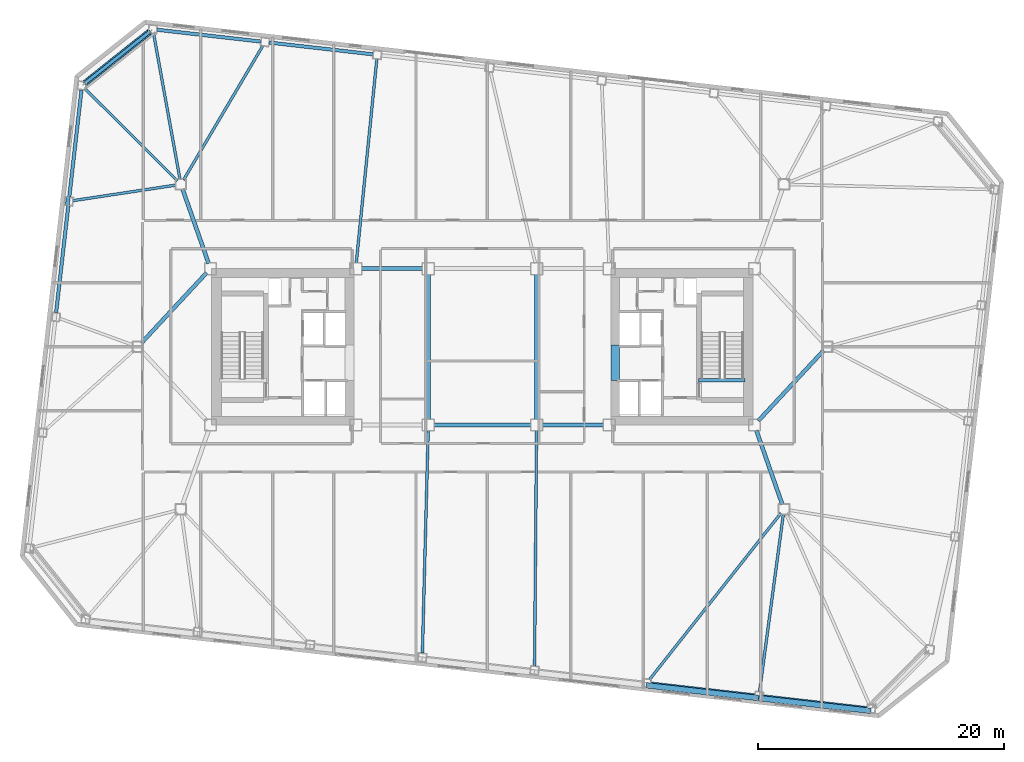
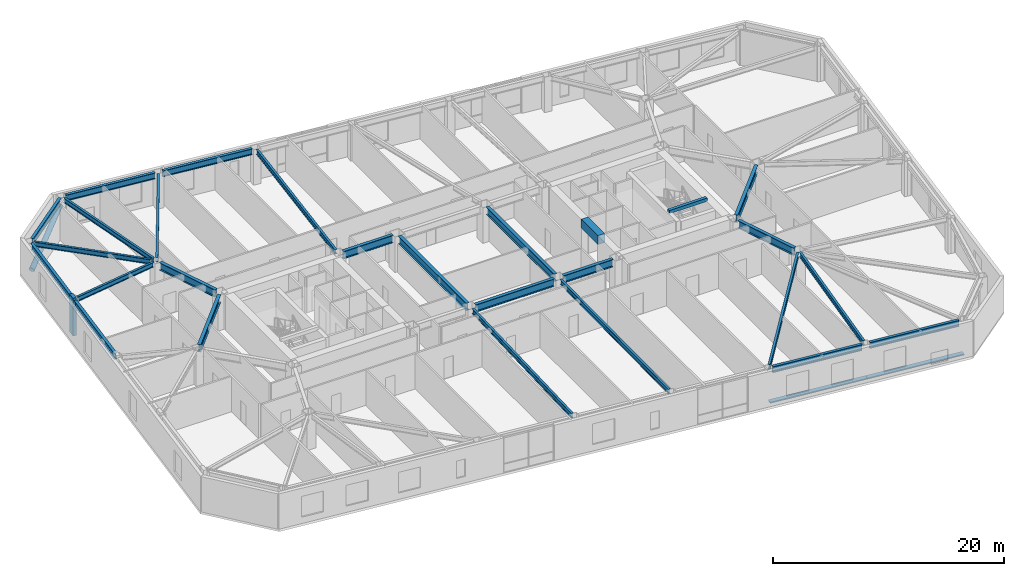
# One storey, part 5 of 21: 27 beams, 4 members.
"""IFC4 building model written with IfcOpenShell, lengths in metres."""

from ifc_helpers import new_model, si_unit, direction, frame, origin, origin_2d, place, context, subcontext, project, spatial, rectangle, hollow_circle, i_section, extrude, material, material_profile, profile_set, type_object, element, save


model = new_model("IFC4")

# Units and contexts
model_context = context("Model", 3, precision=1e-05, world=origin(), true_north=direction((0.0, 1.0)))
body_context = subcontext(model_context, "Body", "Model", "MODEL_VIEW")
ifc_project = project(units=[si_unit("LENGTHUNIT", "METRE"), si_unit("AREAUNIT", "SQUARE_METRE"), si_unit("VOLUMEUNIT", "CUBIC_METRE"), si_unit("PLANEANGLEUNIT", "RADIAN"), si_unit("MASSUNIT", "GRAM", prefix="KILO")], contexts=[model_context])

# Site, building, storey
site_placement = place(None, origin())
site = spatial("IfcSite", under=ifc_project, at=site_placement, CompositionType="ELEMENT")
building_placement = place(site_placement, origin())
building = spatial("IfcBuilding", under=site, at=building_placement, Name="Tavrogorsk Clinical Tower", CompositionType="ELEMENT")
storey_placement = place(building_placement, frame((0.0, 0.0, 133.39990234375)))
storey = spatial("IfcBuildingStorey", under=building, at=storey_placement, Name="L30", CompositionType="ELEMENT", Elevation=133.39990234375)

# Members
ifc_material_1 = material(Name="Anodised aluminium alloy AW-6063", Category="aluminium")
ifc_material_profile_1 = material_profile(ifc_material_1, rectangle(XDim=0.449951171875, YDim=0.1201171875, at=origin_2d()), Name="ALU-SUNSHADE-450x120")
ifc_profile_set_1 = profile_set([ifc_material_profile_1], Name="Anodised aluminium alloy AW-6063")
member_type_1 = type_object("IfcMemberType", Name="ChicagoSunshade_450x120", PredefinedType="USERDEFINED", material=ifc_profile_set_1)
for number, where, z_axis, x_axis, name in (
    (1, (13.326416015625, -27.502197265625, 0.18017578125), (0.993572654864, -0.113196199166, 0.0), (0.113196199166, 0.993572654864, 0.0), "L30 South Aluminium Sunshade S6"),
    (2, (22.444580078125, -28.541015625, 0.18017578125), (0.993572654864, -0.113196199166, 0.0), (0.113196199166, 0.993572654864, 0.0), "L30 South Aluminium Sunshade S7"),
):
    element("IfcMember", number, at=place(storey_placement, frame(where, z_axis=z_axis, x_axis=x_axis)), inside=storey, type_object=member_type_1, Name=name, ObjectType="SUNSHADE", PredefinedType="USERDEFINED", context=body_context, shape_type="SweptSolid", body=[
        extrude(rectangle(XDim=0.449951171875, YDim=0.1201171875, at=origin_2d()), origin(), (0.0, 0.0, 1.0), 9.17724609375),
    ])

# Beam
ifc_material_2 = material(Name="Concrete B80", Category="concrete")
ifc_material_profile_2 = material_profile(ifc_material_2, rectangle(XDim=0.699951171875, YDim=0.949951171875, at=origin_2d()), Name="RC-CB-700x950")
ifc_profile_set_2 = profile_set([ifc_material_profile_2], Name="Concrete B80")
beam_type_1 = type_object("IfcBeamType", Name="CouplingBeam_RC700x950", PredefinedType="LINTEL", material=ifc_profile_set_2)
beam_1_placement = place(storey_placement, frame((10.800048828125, -2.75, 3.26513671875), z_axis=(0.0, 1.0, 0.0), x_axis=(-1.0, 0.0, 0.0)))
element("IfcBeam", 3, at=beam_1_placement, inside=storey, type_object=beam_type_1, Name="L30 Core East Coupling Beam", PredefinedType="LINTEL", context=body_context, shape_type="SweptSolid", body=[
    extrude(rectangle(XDim=0.699951171875, YDim=0.949951171875, at=origin_2d()), origin(), (0.0, 0.0, 1.0), 2.89990234375),
])

# Member
ifc_material_3 = material(Name="Structural steel S440", Category="steel")
ifc_material_profile_3 = material_profile(ifc_material_3, hollow_circle(Radius=0.25390625, WallThickness=0.02001953125, at=origin_2d()), Name="CHS-508x20")
ifc_profile_set_3 = profile_set([ifc_material_profile_3], Name="Structural steel S440")
member_type_2 = type_object("IfcMemberType", Name="ExoBrace_CHS508", PredefinedType="BRACE", material=ifc_profile_set_3)
member_1_placement = place(storey_placement, frame((-32.27587890625, 21.431884765625, 0.425048828125), z_axis=(0.73336936718, 0.583326985798, 0.349140371371), x_axis=(-0.622500682662, 0.782619256143, 0.0)))
element("IfcMember", 4, at=member_1_placement, inside=storey, type_object=member_type_2, Name="L30 Corner Exoskeleton Brace N8-W1", PredefinedType="BRACE", context=body_context, shape_type="SweptSolid", body=[
    extrude(hollow_circle(Radius=0.25390625, WallThickness=0.02001953125, at=origin_2d()), origin(), (0.0, 0.0, 1.0), 7.1318359375),
])

# Beams
ifc_material_4 = material(Name="Structural steel S355", Category="steel")
ifc_material_profile_4 = material_profile(ifc_material_4, i_section(OverallWidth=0.219970703125, OverallDepth=0.5, WebThickness=0.012939453125, FlangeThickness=0.02001953125, at=origin_2d()), Name="B-500x220x13x20")
ifc_profile_set_4 = profile_set([ifc_material_profile_4], Name="Structural steel S355")
beam_type_2 = type_object("IfcBeamType", Name="FloorBeam_B500", PredefinedType="BEAM", material=ifc_profile_set_4)
beam_2_placement = place(storey_placement, frame((-4.411865234375, -6.809814453125, 3.489990234375), z_axis=(-0.025907273598, -0.999664350257, 0.0), x_axis=(0.999664350257, -0.025907273598, 0.0)))
element("IfcBeam", 5, at=beam_2_placement, inside=storey, type_object=beam_type_2, Name="L30 Radial Floor Beam S4", PredefinedType="BEAM", context=body_context, shape_type="SweptSolid", body=[
    extrude(i_section(OverallWidth=0.219970703125, OverallDepth=0.5, WebThickness=0.012939453125, FlangeThickness=0.02001953125, at=origin_2d()), origin(), (0.0, 0.0, 1.0), 18.083984375),
])
beam_3_placement = place(storey_placement, frame((4.39599609375, -6.81005859375, 3.489990234375), z_axis=(-0.00859471964, -0.999963064715, 0.0), x_axis=(0.999963064715, -0.00859471964, 0.0)))
element("IfcBeam", 6, at=beam_3_placement, inside=storey, type_object=beam_type_2, Name="L30 Radial Floor Beam S5", PredefinedType="BEAM", context=body_context, shape_type="SweptSolid", body=[
    extrude(i_section(OverallWidth=0.219970703125, OverallDepth=0.5, WebThickness=0.012939453125, FlangeThickness=0.02001953125, at=origin_2d()), origin(), (0.0, 0.0, 1.0), 19.1171875),
])
beam_4_placement = place(storey_placement, frame((24.245849609375, -13.521728515625, 3.489990234375), z_axis=(-0.619757312108, -0.784793523221, 0.0), x_axis=(0.784793523221, -0.619757312108, 0.0)))
element("IfcBeam", 7, at=beam_4_placement, inside=storey, type_object=beam_type_2, Name="L30 Radial Floor Beam S6", PredefinedType="BEAM", context=body_context, shape_type="SweptSolid", body=[
    extrude(i_section(OverallWidth=0.219970703125, OverallDepth=0.5, WebThickness=0.012939453125, FlangeThickness=0.02001953125, at=origin_2d()), origin(), (0.0, 0.0, 1.0), 17.22802734375),
])
beam_5_placement = place(storey_placement, frame((24.445556640625, -13.6064453125, 3.489990234375), z_axis=(-0.133025440596, -0.991112623345, 0.0), x_axis=(0.991112623345, -0.133025440596, 0.0)))
element("IfcBeam", 8, at=beam_5_placement, inside=storey, type_object=beam_type_2, Name="L30 Radial Floor Beam S7", PredefinedType="BEAM", context=body_context, shape_type="SweptSolid", body=[
    extrude(i_section(OverallWidth=0.219970703125, OverallDepth=0.5, WebThickness=0.012939453125, FlangeThickness=0.02001953125, at=origin_2d()), origin(), (0.0, 0.0, 1.0), 14.530029296875),
])
beam_6_placement = place(storey_placement, frame((-10.25390625, 6.8076171875, 3.489990234375), z_axis=(0.100407035617, 0.994946444387, 0.0), x_axis=(-0.994946444387, 0.100407035617, 0.0)))
element("IfcBeam", 9, at=beam_6_placement, inside=storey, type_object=beam_type_2, Name="L30 Radial Floor Beam N6", PredefinedType="BEAM", context=body_context, shape_type="SweptSolid", body=[
    extrude(i_section(OverallWidth=0.219970703125, OverallDepth=0.5, WebThickness=0.012939453125, FlangeThickness=0.02001953125, at=origin_2d()), origin(), (0.0, 0.0, 1.0), 16.643798828125),
])
beam_7_placement = place(storey_placement, frame((-24.291259765625, 13.552978515625, 3.489990234375), z_axis=(0.508876748392, 0.86083938975, 0.0), x_axis=(-0.86083938975, 0.508876748392, 0.0)))
element("IfcBeam", 10, at=beam_7_placement, inside=storey, type_object=beam_type_2, Name="L30 Radial Floor Beam N7", PredefinedType="BEAM", context=body_context, shape_type="SweptSolid", body=[
    extrude(i_section(OverallWidth=0.219970703125, OverallDepth=0.5, WebThickness=0.012939453125, FlangeThickness=0.02001953125, at=origin_2d()), origin(), (0.0, 0.0, 1.0), 12.663330078125),
])
beam_8_placement = place(storey_placement, frame((-24.572998046875, 13.603515625, 3.489990234375), z_axis=(-0.178287530482, 0.983978432932, 0.0), x_axis=(-0.983978432932, -0.178287530482, 0.0)))
element("IfcBeam", 11, at=beam_8_placement, inside=storey, type_object=beam_type_2, Name="L30 Radial Floor Beam N8", PredefinedType="BEAM", context=body_context, shape_type="SweptSolid", body=[
    extrude(i_section(OverallWidth=0.219970703125, OverallDepth=0.5, WebThickness=0.012939453125, FlangeThickness=0.02001953125, at=origin_2d()), origin(), (0.0, 0.0, 1.0), 12.0380859375),
])
beam_9_placement = place(storey_placement, frame((-24.790283203125, 13.48974609375, 3.489990234375), z_axis=(-0.707775090959, 0.706437839175, 0.0), x_axis=(-0.706437839175, -0.707775090959, 0.0)))
element("IfcBeam", 12, at=beam_9_placement, inside=storey, type_object=beam_type_2, Name="L30 Radial Floor Beam W1", PredefinedType="BEAM", context=body_context, shape_type="SweptSolid", body=[
    extrude(i_section(OverallWidth=0.219970703125, OverallDepth=0.5, WebThickness=0.012939453125, FlangeThickness=0.02001953125, at=origin_2d()), origin(), (0.0, 0.0, 1.0), 10.589111328125),
])
beam_10_placement = place(storey_placement, frame((-24.905517578125, 13.138671875, 3.489990234375), z_axis=(-0.98878314082, -0.149358295482, 0.0), x_axis=(0.149358295482, -0.98878314082, 0.0)))
element("IfcBeam", 13, at=beam_10_placement, inside=storey, type_object=beam_type_2, Name="L30 Radial Floor Beam W2", PredefinedType="BEAM", context=body_context, shape_type="SweptSolid", body=[
    extrude(i_section(OverallWidth=0.219970703125, OverallDepth=0.5, WebThickness=0.012939453125, FlangeThickness=0.02001953125, at=origin_2d()), origin(), (0.0, 0.0, 1.0), 8.4443359375),
])

# Member
ifc_material_5 = material(Name="Precast concrete B45 with limestone cladding", Category="masonry")
ifc_material_profile_5 = material_profile(ifc_material_5, rectangle(XDim=0.320068359375, YDim=0.719970703125, at=origin_2d()), Name="LIMESTONE-FIN-320x720")
ifc_profile_set_5 = profile_set([ifc_material_profile_5], Name="Precast concrete B45 with limestone cladding")
member_type_3 = type_object("IfcMemberType", Name="LimestonePleatFin_320x720", PredefinedType="USERDEFINED", material=ifc_profile_set_5)
member_2_placement = place(storey_placement, frame((-33.688720703125, 11.8330078125, 0.0), z_axis=(0.0, 0.0, 1.0), x_axis=(0.993571855677, -0.113203213768, 0.0)))
element("IfcMember", 14, at=member_2_placement, inside=storey, type_object=member_type_3, Name="L30 W Pleated Stone Fin 1", ObjectType="FIN", PredefinedType="USERDEFINED", context=body_context, shape_type="SweptSolid", body=[
    extrude(rectangle(XDim=0.320068359375, YDim=0.719970703125, at=origin_2d()), origin(), (0.0, 0.0, 1.0), 4.0),
])

# Beams
ifc_material_6 = material(Name="Structural steel S390", Category="steel")
ifc_material_profile_6 = material_profile(ifc_material_6, i_section(OverallWidth=0.320068359375, OverallDepth=0.800048828125, WebThickness=0.02001953125, FlangeThickness=0.033935546875, at=origin_2d()), Name="B-800x320x20x34")
ifc_profile_set_6 = profile_set([ifc_material_profile_6], Name="Structural steel S390")
beam_type_3 = type_object("IfcBeamType", Name="PrimaryGirder_B800", PredefinedType="USERDEFINED", material=ifc_profile_set_6)
beam_11_placement = place(storey_placement, frame((-9.840087890625, 6.35009765625, 3.340087890625), z_axis=(1.0, 0.0, 0.0), x_axis=(0.0, 1.0, 0.0)))
element("IfcBeam", 15, at=beam_11_placement, inside=storey, type_object=beam_type_3, Name="L30 Primary Spine Girder MG-02", ObjectType="GIRDER", PredefinedType="USERDEFINED", context=body_context, shape_type="SweptSolid", body=[
    extrude(i_section(OverallWidth=0.320068359375, OverallDepth=0.800048828125, WebThickness=0.02001953125, FlangeThickness=0.033935546875, at=origin_2d()), origin(), (0.0, 0.0, 1.0), 4.97998046875),
])
beam_12_placement = place(storey_placement, frame((-3.93994140625, -6.35009765625, 3.340087890625), z_axis=(1.0, 0.0, 0.0), x_axis=(0.0, 1.0, 0.0)))
element("IfcBeam", 16, at=beam_12_placement, inside=storey, type_object=beam_type_3, Name="L30 Primary Spine Girder MG-03", ObjectType="GIRDER", PredefinedType="USERDEFINED", context=body_context, shape_type="SweptSolid", body=[
    extrude(i_section(OverallWidth=0.320068359375, OverallDepth=0.800048828125, WebThickness=0.02001953125, FlangeThickness=0.033935546875, at=origin_2d()), origin(), (0.0, 0.0, 1.0), 7.8798828125),
])
beam_13_placement = place(storey_placement, frame((4.860107421875, -6.35009765625, 3.340087890625), z_axis=(1.0, 0.0, 0.0), x_axis=(0.0, 1.0, 0.0)))
element("IfcBeam", 17, at=beam_13_placement, inside=storey, type_object=beam_type_3, Name="L30 Primary Spine Girder MG-05", ObjectType="GIRDER", PredefinedType="USERDEFINED", context=body_context, shape_type="SweptSolid", body=[
    extrude(i_section(OverallWidth=0.320068359375, OverallDepth=0.800048828125, WebThickness=0.02001953125, FlangeThickness=0.033935546875, at=origin_2d()), origin(), (0.0, 0.0, 1.0), 4.97998046875),
])
for number, where, z_axis, x_axis, name in (
    (18, (-4.39990234375, -5.889892578125, 3.340087890625), (0.0, 1.0, 0.0), (-1.0, 0.0, 0.0), "L30 Primary Spine Girder MG-07"),
    (19, (4.39990234375, -5.889892578125, 3.340087890625), (0.0, 1.0, 0.0), (-1.0, 0.0, 0.0), "L30 Primary Spine Girder MG-08"),
):
    element("IfcBeam", number, at=place(storey_placement, frame(where, z_axis=z_axis, x_axis=x_axis)), inside=storey, type_object=beam_type_3, Name=name, ObjectType="GIRDER", PredefinedType="USERDEFINED", context=body_context, shape_type="SweptSolid", body=[
        extrude(i_section(OverallWidth=0.320068359375, OverallDepth=0.800048828125, WebThickness=0.02001953125, FlangeThickness=0.033935546875, at=origin_2d()), origin(), (0.0, 0.0, 1.0), 11.77978515625),
    ])
for number, where, z_axis, x_axis, name in (
    (20, (24.364501953125, -12.81298828125, 3.340087890625), (-0.330660234815, 0.943749865755, 0.0), (-0.943749865755, -0.330660234815, 0.0), "L30 Spine Link Girder OPG-2"),
    (21, (-24.364501953125, 12.81298828125, 3.340087890625), (0.330660234815, -0.943749865755, 0.0), (0.943749865755, 0.330660234815, 0.0), "L30 Spine Link Girder OPG-3"),
):
    element("IfcBeam", number, at=place(storey_placement, frame(where, z_axis=z_axis, x_axis=x_axis)), inside=storey, type_object=beam_type_3, Name=name, ObjectType="GIRDER", PredefinedType="USERDEFINED", context=body_context, shape_type="SweptSolid", body=[
        extrude(i_section(OverallWidth=0.320068359375, OverallDepth=0.800048828125, WebThickness=0.02001953125, FlangeThickness=0.033935546875, at=origin_2d()), origin(), (0.0, 0.0, 1.0), 6.38818359375),
    ])
for number, where, z_axis, x_axis, name in (
    (22, (-27.720947265625, 0.30029296875, 3.340087890625), (0.680675630035, 0.732584934787, 0.0), (-0.732584934787, 0.680675630035, 0.0), "L30 Spine Link Girder OPG-6"),
    (23, (27.720947265625, -0.30029296875, 3.340087890625), (-0.680675630035, -0.732584934787, 0.0), (0.732584934787, -0.680675630035, 0.0), "L30 Spine Link Girder OPG-7"),
):
    element("IfcBeam", number, at=place(storey_placement, frame(where, z_axis=z_axis, x_axis=x_axis)), inside=storey, type_object=beam_type_3, Name=name, ObjectType="GIRDER", PredefinedType="USERDEFINED", context=body_context, shape_type="SweptSolid", body=[
        extrude(i_section(OverallWidth=0.320068359375, OverallDepth=0.800048828125, WebThickness=0.02001953125, FlangeThickness=0.033935546875, at=origin_2d()), origin(), (0.0, 0.0, 1.0), 7.7978515625),
    ])
ifc_material_7 = material(Name="Structural steel S390", Category="steel")
ifc_material_profile_7 = material_profile(ifc_material_7, i_section(OverallWidth=0.280029296875, OverallDepth=0.64990234375, WebThickness=0.01611328125, FlangeThickness=0.02490234375, at=origin_2d()), Name="B-650x280x16x25")
ifc_profile_set_7 = profile_set([ifc_material_profile_7], Name="Structural steel S390")
beam_type_4 = type_object("IfcBeamType", Name="SpandrelBeam_B650", PredefinedType="SPANDREL", material=ifc_profile_set_7)
beam_14_placement = place(storey_placement, frame((13.702392578125, -27.36376953125, 3.4150390625), z_axis=(0.993569819641, -0.113221082395, 0.0), x_axis=(0.113221082395, 0.993569819641, 0.0)))
element("IfcBeam", 24, at=beam_14_placement, inside=storey, type_object=beam_type_4, Name="L30 Perimeter Spandrel S6-S7", PredefinedType="SPANDREL", context=body_context, shape_type="SweptSolid", body=[
    extrude(i_section(OverallWidth=0.280029296875, OverallDepth=0.64990234375, WebThickness=0.01611328125, FlangeThickness=0.02490234375, at=origin_2d()), origin(), (0.0, 0.0, 1.0), 8.46142578125),
])
beam_15_placement = place(storey_placement, frame((22.82080078125, -28.40283203125, 3.4150390625), z_axis=(0.99357232562, -0.113199089054, 0.0), x_axis=(0.113199089054, 0.99357232562, 0.0)))
element("IfcBeam", 25, at=beam_15_placement, inside=storey, type_object=beam_type_4, Name="L30 Perimeter Spandrel S7-S8", PredefinedType="SPANDREL", context=body_context, shape_type="SweptSolid", body=[
    extrude(i_section(OverallWidth=0.280029296875, OverallDepth=0.64990234375, WebThickness=0.01611328125, FlangeThickness=0.02490234375, at=origin_2d()), origin(), (0.0, 0.0, 1.0), 8.4609375),
])
for number, where, z_axis, x_axis, name in (
    (26, (-8.902587890625, 23.763916015625, 3.4150390625), (-0.993572695356, 0.113195843756, 0.0), (-0.113195843756, -0.993572695356, 0.0), "L30 Perimeter Spandrel N6-N7"),
    (27, (-18.020751953125, 24.802734375, 3.4150390625), (-0.993572695356, 0.113195843756, 0.0), (-0.113195843756, -0.993572695356, 0.0), "L30 Perimeter Spandrel N7-N8"),
):
    element("IfcBeam", number, at=place(storey_placement, frame(where, z_axis=z_axis, x_axis=x_axis)), inside=storey, type_object=beam_type_4, Name=name, PredefinedType="SPANDREL", context=body_context, shape_type="SweptSolid", body=[
        extrude(i_section(OverallWidth=0.280029296875, OverallDepth=0.64990234375, WebThickness=0.01611328125, FlangeThickness=0.02490234375, at=origin_2d()), origin(), (0.0, 0.0, 1.0), 8.461181640625),
    ])
beam_16_placement = place(storey_placement, frame((-27.063232421875, 25.578125, 3.4150390625), z_axis=(-0.782613271493, -0.622508206599, 0.0), x_axis=(0.622508206599, -0.782613271493, 0.0)))
element("IfcBeam", 28, at=beam_16_placement, inside=storey, type_object=beam_type_4, Name="L30 Perimeter Spandrel N8-W1", PredefinedType="SPANDREL", context=body_context, shape_type="SweptSolid", body=[
    extrude(i_section(OverallWidth=0.280029296875, OverallDepth=0.64990234375, WebThickness=0.01611328125, FlangeThickness=0.02490234375, at=origin_2d()), origin(), (0.0, 0.0, 1.0), 6.6376953125),
])
for number, where, z_axis, x_axis, name in (
    (29, (-32.578857421875, 20.867431640625, 3.4150390625), (-0.113192226434, -0.993573107464, 0.0), (0.993573107464, -0.113192226434, 0.0), "L30 Perimeter Spandrel W1-W2"),
    (30, (-33.649658203125, 11.46826171875, 3.4150390625), (-0.113219789686, -0.993569966949, 0.0), (0.993569966949, -0.113219789686, 0.0), "L30 Perimeter Spandrel W2-W3"),
):
    element("IfcBeam", number, at=place(storey_placement, frame(where, z_axis=z_axis, x_axis=x_axis)), inside=storey, type_object=beam_type_4, Name=name, PredefinedType="SPANDREL", context=body_context, shape_type="SweptSolid", body=[
        extrude(i_section(OverallWidth=0.280029296875, OverallDepth=0.64990234375, WebThickness=0.01611328125, FlangeThickness=0.02490234375, at=origin_2d()), origin(), (0.0, 0.0, 1.0), 8.743896484375),
    ])
ifc_material_8 = material(Name="Concrete B60", Category="concrete")
ifc_material_profile_8 = material_profile(ifc_material_8, rectangle(XDim=0.300048828125, YDim=0.35009765625, at=origin_2d()), Name="RC-SHB-300x350")
ifc_profile_set_8 = profile_set([ifc_material_profile_8], Name="Concrete B60")
beam_type_5 = type_object("IfcBeamType", Name="StairHeaderBeam_RC300x350", PredefinedType="BEAM", material=ifc_profile_set_8)
beam_17_placement = place(storey_placement, frame((17.550048828125, -2.719970703125, 3.8251953125), z_axis=(1.0, 0.0, 0.0), x_axis=(0.0, 1.0, 0.0)))
element("IfcBeam", 31, at=beam_17_placement, inside=storey, type_object=beam_type_5, Name="L31 ST-E Landing Header Beam", PredefinedType="BEAM", context=body_context, shape_type="SweptSolid", body=[
    extrude(rectangle(XDim=0.300048828125, YDim=0.35009765625, at=origin_2d()), origin(), (0.0, 0.0, 1.0), 3.800048828125),
])

save(model, "model.ifc")
